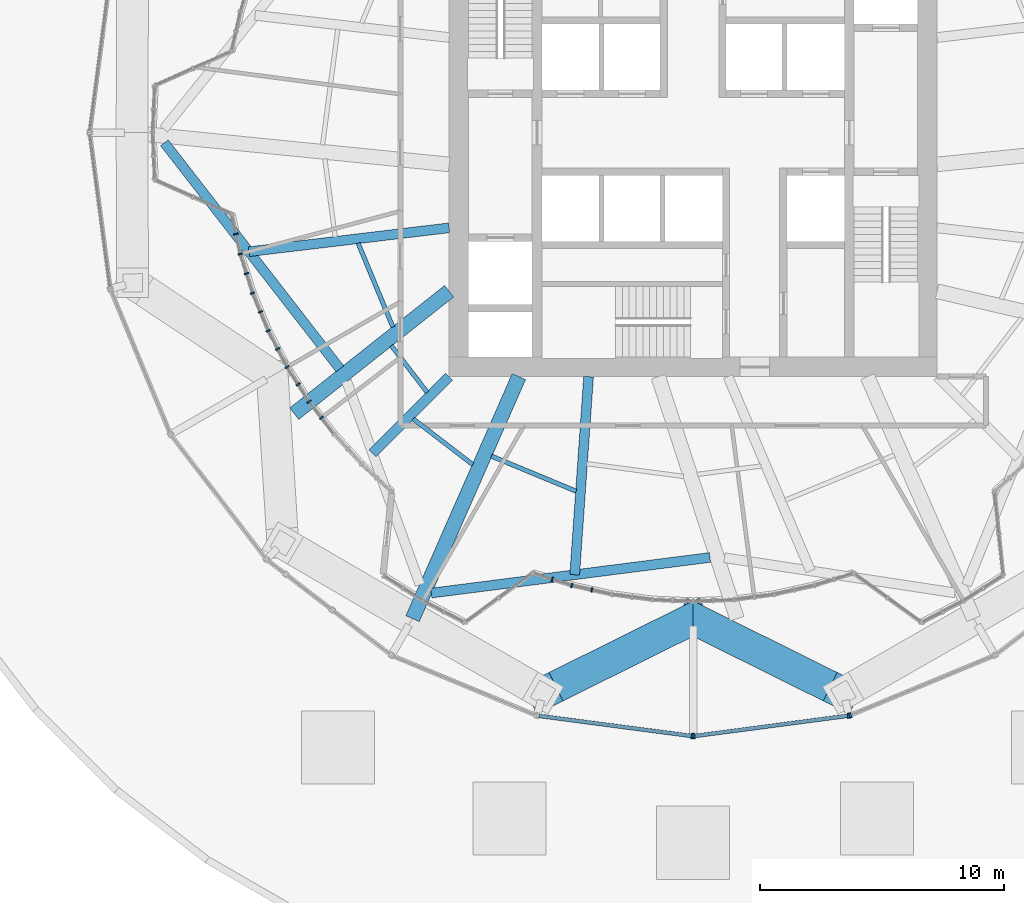
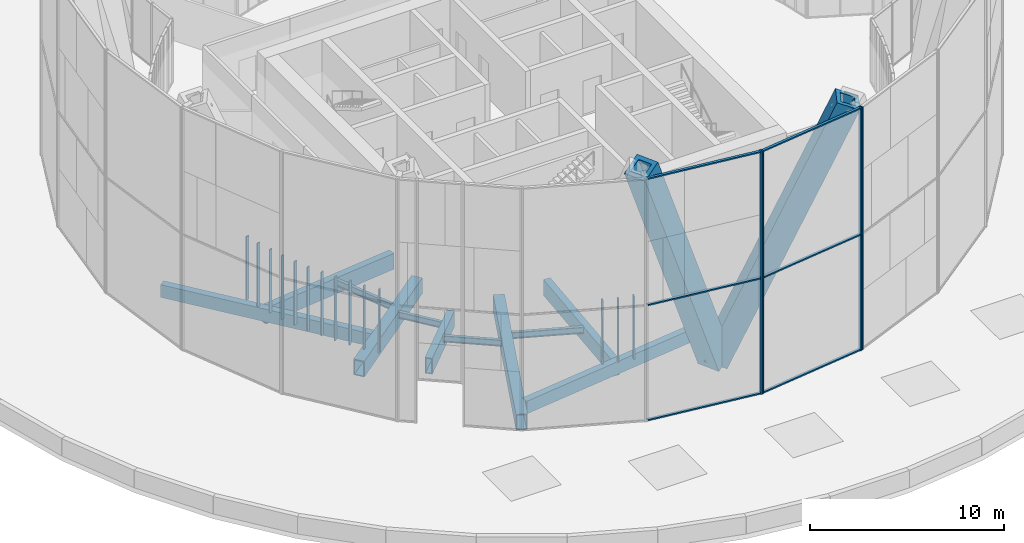
# One storey, part 2 of 27: 26 members, 11 beams, 11 elements without a shape of their own.
"""IFC4 building model written with IfcOpenShell, lengths in metres."""

from ifc_helpers import new_model, si_unit, direction, frame, origin, origin_2d, place, context, subcontext, project, spatial, rectangle, hollow_rectangle, i_section, extrude, material, material_profile, profile_set, type_object, element, aggregate, save


model = new_model("IFC4")

# Units and contexts
model_context = context("Model", 3, precision=1e-05, world=origin(), true_north=direction((0.0, 1.0)))
body_context = subcontext(model_context, "Body", "Model", "MODEL_VIEW")
ifc_project = project(units=[si_unit("LENGTHUNIT", "METRE"), si_unit("AREAUNIT", "SQUARE_METRE"), si_unit("VOLUMEUNIT", "CUBIC_METRE"), si_unit("PLANEANGLEUNIT", "RADIAN"), si_unit("MASSUNIT", "GRAM", prefix="KILO")], contexts=[model_context])

# Site, building, storey
site_placement = place(None, origin())
site = spatial("IfcSite", under=ifc_project, at=site_placement, CompositionType="ELEMENT")
building_placement = place(site_placement, origin())
building = spatial("IfcBuilding", under=site, at=building_placement, Name="Golbaran Civic Tower", CompositionType="ELEMENT")
storey_placement = place(building_placement, frame((0.0, 0.0, 21.0)))
storey = spatial("IfcBuildingStorey", under=building, at=storey_placement, Name="L04", CompositionType="ELEMENT", Elevation=21.0)

# Members
ifc_material_1 = material(Name="Steel S355", Category="steel")
ifc_material_profile_1 = material_profile(ifc_material_1, hollow_rectangle(XDim=1.300048828125, YDim=1.300048828125, WallThickness=0.25, at=origin_2d()), Name="BOX 1300x1300x250")
ifc_profile_set_1 = profile_set([ifc_material_profile_1], Name="Steel S355")
member_type_1 = type_object("IfcMemberType", Name="DIAGRID DIAGONAL BOX 1300x1300x250", PredefinedType="BRACE", material=ifc_profile_set_1)
for number, where, z_axis, x_axis, name in (
    (1, (0.0, -19.918701171875, -0.7099609375), (0.353516243024, -0.175489304538, 0.918819770091), (0.444639890183, 0.895709421664, 0.0), "Diagonal D00-09R L04-L08"),
    (2, (0.0, -19.918701171875, -0.7099609375), (-0.353516243024, -0.175489304538, 0.918819770091), (0.444639890183, -0.895709421664, 0.0), "Diagonal D00-09L L04-L08"),
):
    element("IfcMember", number, at=place(storey_placement, frame(where, z_axis=z_axis, x_axis=x_axis)), inside=storey, type_object=member_type_1, Name=name, PredefinedType="BRACE", context=body_context, shape_type="SweptSolid", body=[
        extrude(hollow_rectangle(XDim=1.300048828125, YDim=1.300048828125, WallThickness=0.25, at=origin_2d()), origin(), (0.0, 0.0, 1.0), 17.41357421875),
    ])

# Beams
ifc_material_profile_2 = material_profile(ifc_material_1, hollow_rectangle(XDim=0.39990234375, YDim=0.800048828125, WallThickness=0.0400390625, at=origin_2d()), Name="BOX 800x400x40")
ifc_profile_set_2 = profile_set([ifc_material_profile_2], Name="Steel S355")
beam_type_1 = type_object("IfcBeamType", Name="EDGE BEAM BOX 800x400x40", PredefinedType="BEAM", material=ifc_profile_set_2)
beam_1_placement = place(storey_placement, frame((-21.670654296875, -0.414306640625, -0.60009765625), z_axis=(0.613199787458, -0.789927857884, 0.0), x_axis=(0.789927857884, 0.613199787458, 0.0)))
element("IfcBeam", 3, at=beam_1_placement, inside=storey, type_object=beam_type_1, Name="Edge beam 180.00 L04", PredefinedType="BEAM", context=body_context, shape_type="SweptSolid", body=[
    extrude(hollow_rectangle(XDim=0.39990234375, YDim=0.800048828125, WallThickness=0.0400390625, at=origin_2d()), origin(), (0.0, 0.0, 1.0), 11.731201171875),
])
beam_2_placement = place(storey_placement, frame((-10.73388671875, -18.870849609375, -0.60009765625), z_axis=(0.991928631853, 0.126797434164, 0.0), x_axis=(-0.126797434164, 0.991928631853, 0.0)))
element("IfcBeam", 4, at=beam_2_placement, inside=storey, type_object=beam_type_1, Name="Edge beam 240.00 L04", PredefinedType="BEAM", context=body_context, shape_type="SweptSolid", body=[
    extrude(hollow_rectangle(XDim=0.39990234375, YDim=0.800048828125, WallThickness=0.0400390625, at=origin_2d()), origin(), (0.0, 0.0, 1.0), 11.51611328125),
])
ifc_material_profile_3 = material_profile(ifc_material_1, i_section(OverallWidth=0.179931640625, OverallDepth=0.39990234375, WebThickness=0.008544921875, FlangeThickness=0.013427734375, FilletRadius=0.02099609375, at=origin_2d()), Name="IPE 400")
ifc_profile_set_3 = profile_set([ifc_material_profile_3], Name="Steel S355")
beam_type_2 = type_object("IfcBeamType", Name="FLOOR INFILL BEAM IPE 400", PredefinedType="BEAM", material=ifc_profile_set_3)
beam_3_placement = place(storey_placement, frame((-13.7314453125, -4.526123046875, -0.39990234375), z_axis=(0.382691554869, -0.923876168018, 0.0), x_axis=(0.923876168018, 0.382691554869, 0.0)))
element("IfcBeam", 5, at=beam_3_placement, inside=storey, type_object=beam_type_2, Name="Infill beam 202.50 L04", PredefinedType="BEAM", context=body_context, shape_type="SweptSolid", body=[
    extrude(i_section(OverallWidth=0.179931640625, OverallDepth=0.39990234375, WebThickness=0.008544921875, FlangeThickness=0.013427734375, FilletRadius=0.02099609375, at=origin_2d()), origin(), (0.0, 0.0, 1.0), 3.72314453125),
])
beam_4_placement = place(storey_placement, frame((-12.368896484375, -8.72900390625, -0.39990234375), z_axis=(0.608732944488, -0.79337519642, 0.0), x_axis=(0.79337519642, 0.608732944488, 0.0)))
element("IfcBeam", 6, at=beam_4_placement, inside=storey, type_object=beam_type_2, Name="Infill beam 217.50 L04", PredefinedType="BEAM", context=body_context, shape_type="SweptSolid", body=[
    extrude(i_section(OverallWidth=0.179931640625, OverallDepth=0.39990234375, WebThickness=0.008544921875, FlangeThickness=0.013427734375, FilletRadius=0.02099609375, at=origin_2d()), origin(), (0.0, 0.0, 1.0), 2.414306640625),
])
beam_5_placement = place(storey_placement, frame((-11.47509765625, -11.7294921875, -0.39990234375), z_axis=(0.793339600956, -0.60877933404, 0.0), x_axis=(0.60877933404, 0.793339600956, 0.0)))
element("IfcBeam", 7, at=beam_5_placement, inside=storey, type_object=beam_type_2, Name="Infill beam 232.50 L04", PredefinedType="BEAM", context=body_context, shape_type="SweptSolid", body=[
    extrude(i_section(OverallWidth=0.179931640625, OverallDepth=0.39990234375, WebThickness=0.008544921875, FlangeThickness=0.013427734375, FilletRadius=0.02099609375, at=origin_2d()), origin(), (0.0, 0.0, 1.0), 3.07958984375),
])
beam_6_placement = place(storey_placement, frame((-8.267822265625, -13.2568359375, -0.39990234375), z_axis=(0.923887788474, -0.382663500099, 0.0), x_axis=(0.382663500099, 0.923887788474, 0.0)))
element("IfcBeam", 8, at=beam_6_placement, inside=storey, type_object=beam_type_2, Name="Infill beam 247.50 L04", PredefinedType="BEAM", context=body_context, shape_type="SweptSolid", body=[
    extrude(i_section(OverallWidth=0.179931640625, OverallDepth=0.39990234375, WebThickness=0.008544921875, FlangeThickness=0.013427734375, FilletRadius=0.02099609375, at=origin_2d()), origin(), (0.0, 0.0, 1.0), 3.758544921875),
])

# Curtain wall, members
ifc_material_2 = material(Name="Aluminium and glass", Category="aluminium")
curtain_wall_type_1 = type_object("IfcCurtainWallType", Name="INNER SKIN CURTAIN WALL", PredefinedType="NOTDEFINED", material=ifc_material_2)
curtain_wall_1_placement = place(storey_placement, origin())
curtain_wall_1 = element("IfcCurtainWall", 9, at=curtain_wall_1_placement, inside=storey, type_object=curtain_wall_type_1, Name="Inner skin L04 facet 39 CW1", ObjectType="INNER SKIN", PredefinedType="USERDEFINED")
ifc_material_3 = material(Name="Aluminium", Category="aluminium")
ifc_material_profile_4 = material_profile(ifc_material_3, rectangle(XDim=0.179931640625, YDim=0.06494140625, at=origin_2d()), Name="INNER SKIN CURTAIN WALL MULLION")
ifc_profile_set_4 = profile_set([ifc_material_profile_4], Name="Aluminium")
member_type_2 = type_object("IfcMemberType", Name="INNER SKIN CURTAIN WALL MULLION", PredefinedType="MULLION", material=ifc_profile_set_4)
member_1_placement = place(storey_placement, frame((-18.74169921875, -4.155029296875, 0.0), z_axis=(0.0, 0.0, 1.0), x_axis=(0.976296007124, 0.216439613921, 0.0)))
member_1 = element("IfcMember", 10, at=member_1_placement, type_object=member_type_2, Name="CW1 mullion 2", PredefinedType="MULLION", context=body_context, shape_type="SweptSolid", body=[
    extrude(rectangle(XDim=0.179931640625, YDim=0.06494140625, at=origin_2d()), origin(), (0.0, 0.0, 1.0), 4.0),
])
member_2_placement = place(storey_placement, frame((-18.560302734375, -4.97314453125, 0.0), z_axis=(0.0, 0.0, 1.0), x_axis=(0.965925826294, 0.258819045086, 0.0)))
member_2 = element("IfcMember", 11, at=member_2_placement, type_object=member_type_2, Name="CW1 mullion 3", PredefinedType="MULLION", context=body_context, shape_type="SweptSolid", body=[
    extrude(rectangle(XDim=0.179931640625, YDim=0.06494140625, at=origin_2d()), origin(), (0.0, 0.0, 1.0), 4.0),
])
aggregate(curtain_wall_1, [member_1, member_2])

curtain_wall_2_placement = place(storey_placement, origin())
curtain_wall_2 = element("IfcCurtainWall", 12, at=curtain_wall_2_placement, inside=storey, type_object=curtain_wall_type_1, Name="Inner skin L04 facet 40 CW1", ObjectType="INNER SKIN", PredefinedType="USERDEFINED")
member_3_placement = place(storey_placement, frame((-18.308349609375, -5.7724609375, 0.0), z_axis=(0.0, 0.0, 1.0), x_axis=(0.953716950685, 0.300705799704, 0.0)))
member_3 = element("IfcMember", 13, at=member_3_placement, type_object=member_type_2, Name="CW1 mullion 2", PredefinedType="MULLION", context=body_context, shape_type="SweptSolid", body=[
    extrude(rectangle(XDim=0.179931640625, YDim=0.06494140625, at=origin_2d()), origin(), (0.0, 0.0, 1.0), 4.0),
])
member_4_placement = place(storey_placement, frame((-18.05615234375, -6.572021484375, 0.0), z_axis=(0.0, 0.0, 1.0), x_axis=(0.939692620786, 0.342020143326, 0.0)))
member_4 = element("IfcMember", 14, at=member_4_placement, type_object=member_type_2, Name="CW1 mullion 3", PredefinedType="MULLION", context=body_context, shape_type="SweptSolid", body=[
    extrude(rectangle(XDim=0.179931640625, YDim=0.06494140625, at=origin_2d()), origin(), (0.0, 0.0, 1.0), 4.0),
])
aggregate(curtain_wall_2, [member_3, member_4])

curtain_wall_3_placement = place(storey_placement, origin())
curtain_wall_3 = element("IfcCurtainWall", 15, at=curtain_wall_3_placement, inside=storey, type_object=curtain_wall_type_1, Name="Inner skin L04 facet 41 CW1", ObjectType="INNER SKIN", PredefinedType="USERDEFINED")
member_5_placement = place(storey_placement, frame((-17.7353515625, -7.34619140625, 0.0), z_axis=(0.0, 0.0, 1.0), x_axis=(0.923879532585, 0.382683432188, 0.0)))
member_5 = element("IfcMember", 16, at=member_5_placement, type_object=member_type_2, Name="CW1 mullion 2", PredefinedType="MULLION", context=body_context, shape_type="SweptSolid", body=[
    extrude(rectangle(XDim=0.179931640625, YDim=0.06494140625, at=origin_2d()), origin(), (0.0, 0.0, 1.0), 4.0),
])
member_6_placement = place(storey_placement, frame((-17.414794921875, -8.12060546875, 0.0), z_axis=(0.0, 0.0, 1.0), x_axis=(0.906307787088, 0.42261826163, 0.0)))
member_6 = element("IfcMember", 17, at=member_6_placement, type_object=member_type_2, Name="CW1 mullion 3", PredefinedType="MULLION", context=body_context, shape_type="SweptSolid", body=[
    extrude(rectangle(XDim=0.179931640625, YDim=0.06494140625, at=origin_2d()), origin(), (0.0, 0.0, 1.0), 4.0),
])
aggregate(curtain_wall_3, [member_5, member_6])

curtain_wall_4_placement = place(storey_placement, origin())
curtain_wall_4 = element("IfcCurtainWall", 18, at=curtain_wall_4_placement, inside=storey, type_object=curtain_wall_type_1, Name="Inner skin L04 facet 42 CW1", ObjectType="INNER SKIN", PredefinedType="USERDEFINED")
member_7_placement = place(storey_placement, frame((-17.027587890625, -8.864013671875, 0.0), z_axis=(0.0, 0.0, 1.0), x_axis=(0.887010833267, 0.461748613065, 0.0)))
member_7 = element("IfcMember", 19, at=member_7_placement, type_object=member_type_2, Name="CW1 mullion 2", PredefinedType="MULLION", context=body_context, shape_type="SweptSolid", body=[
    extrude(rectangle(XDim=0.179931640625, YDim=0.06494140625, at=origin_2d()), origin(), (0.0, 0.0, 1.0), 4.0),
])
member_8_placement = place(storey_placement, frame((-16.640625, -9.607421875, 0.0), z_axis=(0.0, 0.0, 1.0), x_axis=(0.866025403802, 0.49999999997, 0.0)))
member_8 = element("IfcMember", 20, at=member_8_placement, type_object=member_type_2, Name="CW1 mullion 3", PredefinedType="MULLION", context=body_context, shape_type="SweptSolid", body=[
    extrude(rectangle(XDim=0.179931640625, YDim=0.06494140625, at=origin_2d()), origin(), (0.0, 0.0, 1.0), 4.0),
])
aggregate(curtain_wall_4, [member_7, member_8])

curtain_wall_5_placement = place(storey_placement, origin())
curtain_wall_5 = element("IfcCurtainWall", 21, at=curtain_wall_5_placement, inside=storey, type_object=curtain_wall_type_1, Name="Inner skin L04 facet 43 CW1", ObjectType="INNER SKIN", PredefinedType="USERDEFINED")
member_9_placement = place(storey_placement, frame((-16.1904296875, -10.314453125, 0.0), z_axis=(0.0, 0.0, 1.0), x_axis=(0.843391445653, 0.537299608597, 0.0)))
member_9 = element("IfcMember", 22, at=member_9_placement, type_object=member_type_2, Name="CW1 mullion 2", PredefinedType="MULLION", context=body_context, shape_type="SweptSolid", body=[
    extrude(rectangle(XDim=0.179931640625, YDim=0.06494140625, at=origin_2d()), origin(), (0.0, 0.0, 1.0), 4.0),
])
member_10_placement = place(storey_placement, frame((-15.739990234375, -11.021240234375, 0.0), z_axis=(0.0, 0.0, 1.0), x_axis=(0.819152044259, 0.573576436394, 0.0)))
member_10 = element("IfcMember", 23, at=member_10_placement, type_object=member_type_2, Name="CW1 mullion 3", PredefinedType="MULLION", context=body_context, shape_type="SweptSolid", body=[
    extrude(rectangle(XDim=0.179931640625, YDim=0.06494140625, at=origin_2d()), origin(), (0.0, 0.0, 1.0), 4.0),
])
aggregate(curtain_wall_5, [member_9, member_10])

# Curtain wall, member
curtain_wall_6_placement = place(storey_placement, origin())
curtain_wall_6 = element("IfcCurtainWall", 24, at=curtain_wall_6_placement, inside=storey, type_object=curtain_wall_type_1, Name="Inner skin L04 facet 44 CW1", ObjectType="INNER SKIN", PredefinedType="USERDEFINED")
member_11_placement = place(storey_placement, frame((-15.229736328125, -11.686279296875, 0.0), z_axis=(0.0, 0.0, 1.0), x_axis=(0.793353340514, 0.608761428718, 0.0)))
member_11 = element("IfcMember", 25, at=member_11_placement, type_object=member_type_2, Name="CW1 mullion 2", PredefinedType="MULLION", context=body_context, shape_type="SweptSolid", body=[
    extrude(rectangle(XDim=0.179931640625, YDim=0.06494140625, at=origin_2d()), origin(), (0.0, 0.0, 1.0), 4.0),
])
aggregate(curtain_wall_6, [member_11])

# Curtain wall, members
curtain_wall_7_placement = place(storey_placement, origin())
curtain_wall_7 = element("IfcCurtainWall", 26, at=curtain_wall_7_placement, inside=storey, type_object=curtain_wall_type_1, Name="Inner skin L04 facet 51 CW1", ObjectType="INNER SKIN", PredefinedType="USERDEFINED")
member_12_placement = place(storey_placement, frame((-5.7724609375, -18.308349609375, 0.0), z_axis=(0.0, 0.0, 1.0), x_axis=(0.300705799704, 0.953716950685, 0.0)))
member_12 = element("IfcMember", 27, at=member_12_placement, type_object=member_type_2, Name="CW1 mullion 2", PredefinedType="MULLION", context=body_context, shape_type="SweptSolid", body=[
    extrude(rectangle(XDim=0.179931640625, YDim=0.06494140625, at=origin_2d()), origin(), (0.0, 0.0, 1.0), 4.0),
])
member_13_placement = place(storey_placement, frame((-4.97314453125, -18.560302734375, 0.0), z_axis=(0.0, 0.0, 1.0), x_axis=(0.258819045221, 0.965925826257, 0.0)))
member_13 = element("IfcMember", 28, at=member_13_placement, type_object=member_type_2, Name="CW1 mullion 3", PredefinedType="MULLION", context=body_context, shape_type="SweptSolid", body=[
    extrude(rectangle(XDim=0.179931640625, YDim=0.06494140625, at=origin_2d()), origin(), (0.0, 0.0, 1.0), 4.0),
])
aggregate(curtain_wall_7, [member_12, member_13])

# Curtain wall, member
curtain_wall_8_placement = place(storey_placement, origin())
curtain_wall_8 = element("IfcCurtainWall", 29, at=curtain_wall_8_placement, inside=storey, type_object=curtain_wall_type_1, Name="Inner skin L04 facet 52 CW1", ObjectType="INNER SKIN", PredefinedType="USERDEFINED")
member_14_placement = place(storey_placement, frame((-4.155029296875, -18.74169921875, 0.0), z_axis=(0.0, 0.0, 1.0), x_axis=(0.216439613921, 0.976296007124, 0.0)))
member_14 = element("IfcMember", 30, at=member_14_placement, type_object=member_type_2, Name="CW1 mullion 2", PredefinedType="MULLION", context=body_context, shape_type="SweptSolid", body=[
    extrude(rectangle(XDim=0.179931640625, YDim=0.06494140625, at=origin_2d()), origin(), (0.0, 0.0, 1.0), 4.0),
])
aggregate(curtain_wall_8, [member_14])

curtain_wall_type_2 = type_object("IfcCurtainWallType", Name="OUTER SKIN TERRACOTTA SCREEN", PredefinedType="NOTDEFINED", material=ifc_material_2)
curtain_wall_9_placement = place(storey_placement, origin())
curtain_wall_9 = element("IfcCurtainWall", 31, at=curtain_wall_9_placement, inside=storey, type_object=curtain_wall_type_2, Name="Outer skin L04 facet 18 CW3", ObjectType="OUTER SKIN", PredefinedType="USERDEFINED")
ifc_material_profile_5 = material_profile(ifc_material_3, rectangle(XDim=0.219970703125, YDim=0.080078125, at=origin_2d()), Name="OUTER SKIN TERRACOTTA SCREEN MULLION")
ifc_profile_set_5 = profile_set([ifc_material_profile_5], Name="Aluminium")
member_type_3 = type_object("IfcMemberType", Name="OUTER SKIN TERRACOTTA SCREEN MULLION", PredefinedType="MULLION", material=ifc_profile_set_5)
member_15_placement = place(storey_placement, frame((-0.03955078125, -24.729736328125, 0.0), z_axis=(0.0, 0.0, 1.0), x_axis=(0.130526192255, 0.991444861369, 0.0)))
member_15 = element("IfcMember", 32, at=member_15_placement, type_object=member_type_3, Name="CW3 mullion 2", PredefinedType="MULLION", context=body_context, shape_type="SweptSolid", body=[
    extrude(rectangle(XDim=0.219970703125, YDim=0.080078125, at=origin_2d()), origin(), (0.0, 0.0, 1.0), 15.2900390625),
])

# Curtain wall, members
curtain_wall_10_placement = place(storey_placement, origin())
curtain_wall_10 = element("IfcCurtainWall", 33, at=curtain_wall_10_placement, inside=storey, type_object=curtain_wall_type_2, Name="Outer skin L04 facet 19 CW3", ObjectType="OUTER SKIN", PredefinedType="USERDEFINED")
member_16_placement = place(storey_placement, frame((0.03955078125, -24.729736328125, 0.0), z_axis=(0.0, 0.0, 1.0), x_axis=(-0.130526192255, 0.991444861369, 0.0)))
member_16 = element("IfcMember", 34, at=member_16_placement, type_object=member_type_3, Name="CW3 mullion 1", PredefinedType="MULLION", context=body_context, shape_type="SweptSolid", body=[
    extrude(rectangle(XDim=0.219970703125, YDim=0.080078125, at=origin_2d()), origin(), (0.0, 0.0, 1.0), 15.2900390625),
])
member_17_placement = place(storey_placement, frame((6.3623046875, -23.8974609375, 0.0), z_axis=(0.0, 0.0, 1.0), x_axis=(-0.130526192255, 0.991444861369, 0.0)))
member_17 = element("IfcMember", 35, at=member_17_placement, type_object=member_type_3, Name="CW3 mullion 2", PredefinedType="MULLION", context=body_context, shape_type="SweptSolid", body=[
    extrude(rectangle(XDim=0.219970703125, YDim=0.080078125, at=origin_2d()), origin(), (0.0, 0.0, 1.0), 15.2900390625),
])

# Curtain wall, member
curtain_wall_11_placement = place(storey_placement, origin())
curtain_wall_11 = element("IfcCurtainWall", 36, at=curtain_wall_11_placement, inside=storey, type_object=curtain_wall_type_2, Name="Outer skin L04 facet 20 CW3", ObjectType="OUTER SKIN", PredefinedType="USERDEFINED")
member_18_placement = place(storey_placement, frame((6.43896484375, -23.876953125, 0.0), z_axis=(0.0, 0.0, 1.0), x_axis=(-0.382683432301, 0.923879532538, 0.0)))
member_18 = element("IfcMember", 37, at=member_18_placement, type_object=member_type_3, Name="CW3 mullion 1", PredefinedType="MULLION", context=body_context, shape_type="SweptSolid", body=[
    extrude(rectangle(XDim=0.219970703125, YDim=0.080078125, at=origin_2d()), origin(), (0.0, 0.0, 1.0), 15.2900390625),
])
aggregate(curtain_wall_11, [member_18])

# Member
ifc_material_profile_6 = material_profile(ifc_material_3, rectangle(XDim=0.159912109375, YDim=0.080078125, at=origin_2d()), Name="OUTER SKIN TERRACOTTA SCREEN TRANSOM")
ifc_profile_set_6 = profile_set([ifc_material_profile_6], Name="Aluminium")
member_type_4 = type_object("IfcMemberType", Name="OUTER SKIN TERRACOTTA SCREEN TRANSOM", PredefinedType="USERDEFINED", material=ifc_profile_set_6)
member_19_placement = place(storey_placement, frame((-6.322509765625, -23.902587890625, 0.0400390625), z_axis=(0.991442942997, -0.130540762908, 0.0), x_axis=(0.130540762908, 0.991442942997, 0.0)))
member_19 = element("IfcMember", 38, at=member_19_placement, type_object=member_type_4, Name="CW3 transom 1.1", ObjectType="TRANSOM", PredefinedType="USERDEFINED", context=body_context, shape_type="SweptSolid", body=[
    extrude(rectangle(XDim=0.159912109375, YDim=0.080078125, at=origin_2d()), origin(), (0.0, 0.0, 1.0), 6.297119140625),
])

member_20_placement = place(storey_placement, frame((-6.322509765625, -23.902587890625, 7.2900390625), z_axis=(0.991442942997, -0.130540762908, 0.0), x_axis=(0.130540762908, 0.991442942997, 0.0)))
member_20 = element("IfcMember", 39, at=member_20_placement, type_object=member_type_4, Name="CW3 transom 1.2", ObjectType="TRANSOM", PredefinedType="USERDEFINED", context=body_context, shape_type="SweptSolid", body=[
    extrude(rectangle(XDim=0.159912109375, YDim=0.080078125, at=origin_2d()), origin(), (0.0, 0.0, 1.0), 6.297119140625),
])

member_21_placement = place(storey_placement, frame((-6.322509765625, -23.902587890625, 15.25), z_axis=(0.991442942997, -0.130540762908, 0.0), x_axis=(0.130540762908, 0.991442942997, 0.0)))
member_21 = element("IfcMember", 40, at=member_21_placement, type_object=member_type_4, Name="CW3 transom 1.3", ObjectType="TRANSOM", PredefinedType="USERDEFINED", context=body_context, shape_type="SweptSolid", body=[
    extrude(rectangle(XDim=0.159912109375, YDim=0.080078125, at=origin_2d()), origin(), (0.0, 0.0, 1.0), 6.297119140625),
])

aggregate(curtain_wall_9, [member_15, member_19, member_20, member_21])

member_22_placement = place(storey_placement, frame((0.079345703125, -24.724609375, 0.0400390625), z_axis=(0.991442942997, 0.130540762908, 0.0), x_axis=(-0.130540762908, 0.991442942997, 0.0)))
member_22 = element("IfcMember", 41, at=member_22_placement, type_object=member_type_4, Name="CW3 transom 1.1", ObjectType="TRANSOM", PredefinedType="USERDEFINED", context=body_context, shape_type="SweptSolid", body=[
    extrude(rectangle(XDim=0.159912109375, YDim=0.080078125, at=origin_2d()), origin(), (0.0, 0.0, 1.0), 6.297119140625),
])

member_23_placement = place(storey_placement, frame((0.079345703125, -24.724609375, 7.2900390625), z_axis=(0.991442942997, 0.130540762908, 0.0), x_axis=(-0.130540762908, 0.991442942997, 0.0)))
member_23 = element("IfcMember", 42, at=member_23_placement, type_object=member_type_4, Name="CW3 transom 1.2", ObjectType="TRANSOM", PredefinedType="USERDEFINED", context=body_context, shape_type="SweptSolid", body=[
    extrude(rectangle(XDim=0.159912109375, YDim=0.080078125, at=origin_2d()), origin(), (0.0, 0.0, 1.0), 6.297119140625),
])

member_24_placement = place(storey_placement, frame((0.079345703125, -24.724609375, 15.25), z_axis=(0.991442942997, 0.130540762908, 0.0), x_axis=(-0.130540762908, 0.991442942997, 0.0)))
member_24 = element("IfcMember", 43, at=member_24_placement, type_object=member_type_4, Name="CW3 transom 1.3", ObjectType="TRANSOM", PredefinedType="USERDEFINED", context=body_context, shape_type="SweptSolid", body=[
    extrude(rectangle(XDim=0.159912109375, YDim=0.080078125, at=origin_2d()), origin(), (0.0, 0.0, 1.0), 6.297119140625),
])

aggregate(curtain_wall_10, [member_16, member_17, member_22, member_23, member_24])

# Beams
ifc_material_profile_7 = material_profile(ifc_material_1, hollow_rectangle(XDim=0.60009765625, YDim=1.0, WallThickness=0.06005859375, at=origin_2d()), Name="BOX 1000x600x60")
ifc_profile_set_7 = profile_set([ifc_material_profile_7], Name="Steel S355")
beam_type_3 = type_object("IfcBeamType", Name="RADIAL FLOOR BEAM BOX 1000x600x60", PredefinedType="BEAM", material=ifc_profile_set_7)
beam_7_placement = place(storey_placement, frame((-10.0, -6.5, -0.7099609375), z_axis=(-0.784592353866, -0.620011966219, 0.0), x_axis=(0.620011966219, -0.784592353866, 0.0)))
element("IfcBeam", 44, at=beam_7_placement, inside=storey, type_object=beam_type_3, Name="Radial beam 210.00 L04", PredefinedType="BEAM", context=body_context, shape_type="SweptSolid", body=[
    extrude(hollow_rectangle(XDim=0.60009765625, YDim=1.0, WallThickness=0.06005859375, at=origin_2d()), origin(), (0.0, 0.0, 1.0), 8.093505859375),
])
beam_8_placement = place(storey_placement, frame((-7.142822265625, -10.0, -0.7099609375), z_axis=(-0.402193277378, -0.9155547868, 0.0), x_axis=(0.9155547868, -0.402193277378, 0.0)))
element("IfcBeam", 45, at=beam_8_placement, inside=storey, type_object=beam_type_3, Name="Radial beam 240.00 L04", PredefinedType="BEAM", context=body_context, shape_type="SweptSolid", body=[
    extrude(hollow_rectangle(XDim=0.60009765625, YDim=1.0, WallThickness=0.06005859375, at=origin_2d()), origin(), (0.0, 0.0, 1.0), 10.83349609375),
])
ifc_material_profile_8 = material_profile(ifc_material_1, hollow_rectangle(XDim=0.39990234375, YDim=1.0, WallThickness=0.050048828125, at=origin_2d()), Name="BOX 1000x400x50")
ifc_profile_set_8 = profile_set([ifc_material_profile_8], Name="Steel S355")
beam_type_4 = type_object("IfcBeamType", Name="SECONDARY FLOOR BEAM BOX 1000x400x50", PredefinedType="BEAM", material=ifc_profile_set_8)
beam_9_placement = place(storey_placement, frame((-10.0, -3.89990234375, -0.7099609375), z_axis=(-0.992967698445, -0.118385598133, 0.0), x_axis=(0.118385598133, -0.992967698445, 0.0)))
element("IfcBeam", 46, at=beam_9_placement, inside=storey, type_object=beam_type_4, Name="Secondary beam 195.00 L04", PredefinedType="BEAM", context=body_context, shape_type="SweptSolid", body=[
    extrude(hollow_rectangle(XDim=0.39990234375, YDim=1.0, WallThickness=0.050048828125, at=origin_2d()), origin(), (0.0, 0.0, 1.0), 8.263427734375),
])
beam_10_placement = place(storey_placement, frame((-10.0, -10.0, -0.7099609375), z_axis=(-0.707106781187, -0.707106781187, 0.0), x_axis=(0.707106781187, -0.707106781187, 0.0)))
element("IfcBeam", 47, at=beam_10_placement, inside=storey, type_object=beam_type_4, Name="Secondary beam 225.00 L04", PredefinedType="BEAM", context=body_context, shape_type="SweptSolid", body=[
    extrude(hollow_rectangle(XDim=0.39990234375, YDim=1.0, WallThickness=0.050048828125, at=origin_2d()), origin(), (0.0, 0.0, 1.0), 4.438720703125),
])
beam_11_placement = place(storey_placement, frame((-4.28564453125, -10.0, -0.7099609375), z_axis=(-0.069948821473, -0.997550581361, 0.0), x_axis=(0.997550581361, -0.069948821473, 0.0)))
element("IfcBeam", 48, at=beam_11_placement, inside=storey, type_object=beam_type_4, Name="Secondary beam 255.00 L04", PredefinedType="BEAM", context=body_context, shape_type="SweptSolid", body=[
    extrude(hollow_rectangle(XDim=0.39990234375, YDim=1.0, WallThickness=0.050048828125, at=origin_2d()), origin(), (0.0, 0.0, 1.0), 8.139404296875),
])

save(model, "model.ifc")
